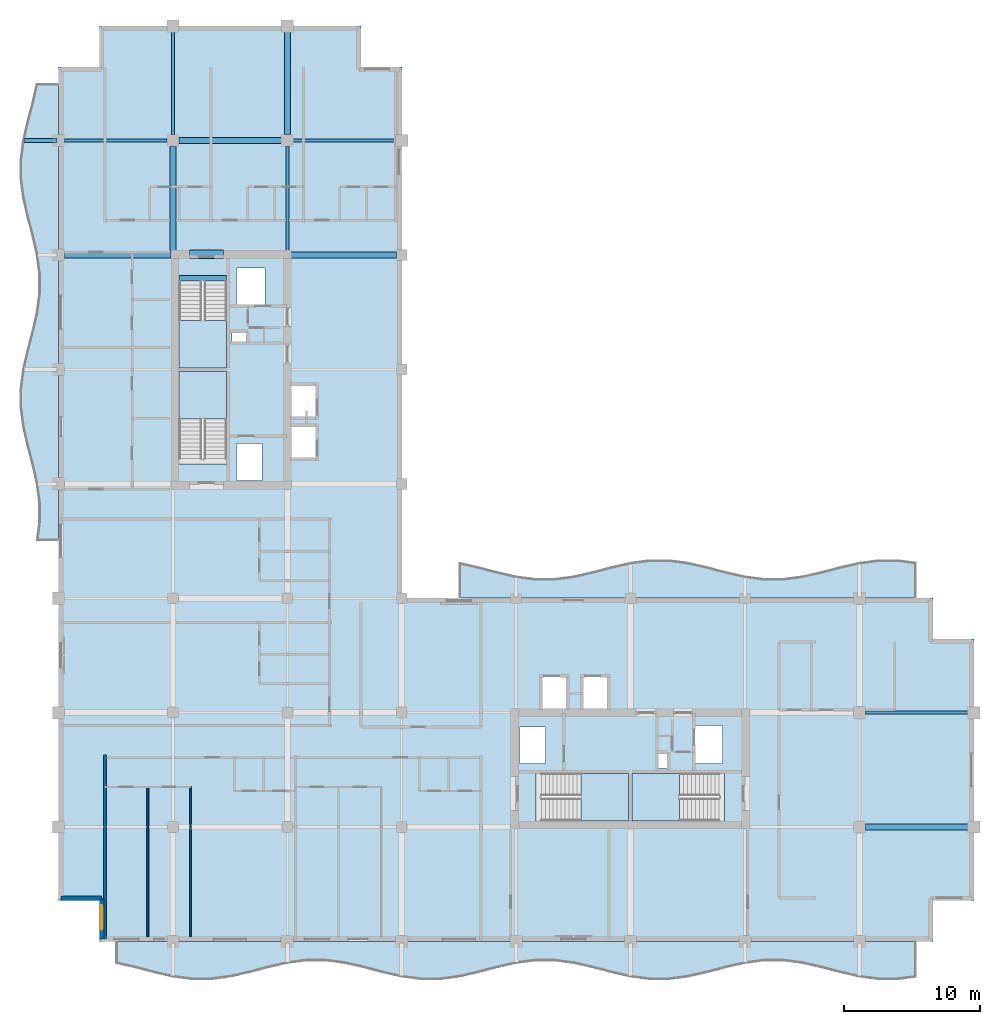
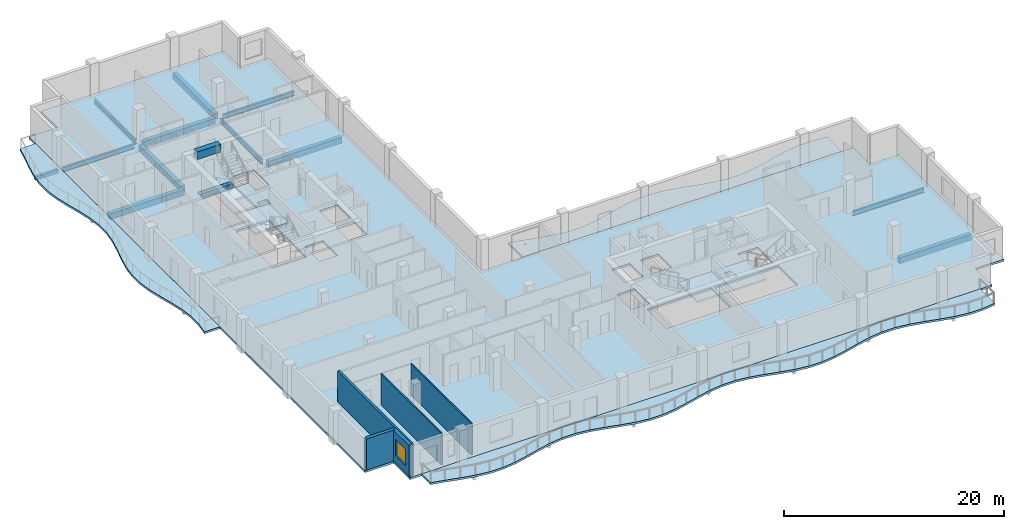
# One storey, part 2 of 12: 14 beams, 8 slabs, 5 walls, 1 window, 1 opening, 4 elements without a shape of their own.
"""IFC4 building model written with IfcOpenShell, lengths in metres."""

from ifc_helpers import new_model, si_unit, direction, frame, frame_2d, origin, origin_2d, place, context, subcontext, project, spatial, polyline, rectangle, i_section, outline, extrude, material, layer, layer_set, material_profile, profile_set, type_object, element, fill, aggregate, save


model = new_model("IFC4")

# Units and contexts
model_context = context("Model", 3, precision=1e-05, world=origin(), true_north=direction((0.0, 1.0)))
body_context = subcontext(model_context, "Body", "Model", "MODEL_VIEW")
ifc_project = project(units=[si_unit("LENGTHUNIT", "METRE"), si_unit("AREAUNIT", "SQUARE_METRE"), si_unit("VOLUMEUNIT", "CUBIC_METRE"), si_unit("PLANEANGLEUNIT", "RADIAN"), si_unit("MASSUNIT", "GRAM", prefix="KILO")], contexts=[model_context])

# Site, building, storey
site_placement = place(None, origin())
site = spatial("IfcSite", under=ifc_project, at=site_placement, CompositionType="ELEMENT")
building_placement = place(site_placement, origin())
building = spatial("IfcBuilding", under=site, at=building_placement, Name="Koriwani Terraces Tower", CompositionType="ELEMENT")
storey_placement = place(building_placement, frame((0.0, 0.0, 263.800048828125)))
storey = spatial("IfcBuildingStorey", under=building, at=storey_placement, Name="L65", CompositionType="ELEMENT", Elevation=263.800048828125)

# Beams
ifc_material_1 = material(Name="Concrete C40/50", Category="concrete")
ifc_material_profile_1 = material_profile(ifc_material_1, rectangle(XDim=0.300048828125, YDim=0.39990234375, at=origin_2d()), Name="Concrete C40/50", Category="LoadBearing")
ifc_profile_set_1 = profile_set([ifc_material_profile_1], Name="Concrete C40/50")
beam_type_1 = type_object("IfcBeamType", Name="BEAM_RC_BALCONY_RIB_300X400", PredefinedType="JOIST", material=ifc_profile_set_1)
beam_1_placement = place(storey_placement, frame((5.907958984375, 67.199951171875, -0.429931640625), z_axis=(1.0, 0.0, 0.0), x_axis=(0.0, 1.0, 0.0)))
element("IfcBeam", 1, at=beam_1_placement, inside=storey, type_object=beam_type_1, Name="L65 Balcony Bracket Rib W-4", PredefinedType="JOIST", context=body_context, shape_type="SweptSolid", body=[
    extrude(rectangle(XDim=0.300048828125, YDim=0.39990234375, at=origin_2d()), origin(), (0.0, 0.0, 1.0), 2.39208984375),
])
ifc_material_2 = material(Name="Concrete C50/60", Category="concrete")
ifc_material_profile_2 = material_profile(ifc_material_2, rectangle(XDim=0.60009765625, YDim=0.85009765625, at=origin_2d()), Name="Concrete C50/60", Category="LoadBearing")
ifc_profile_set_2 = profile_set([ifc_material_profile_2], Name="Concrete C50/60")
beam_type_2 = type_object("IfcBeamType", Name="BEAM_RC_COUPLING_600X850", PredefinedType="LINTEL", material=ifc_profile_set_2)
beam_2_placement = place(storey_placement, frame((18.0, 58.85009765625, 3.044921875), z_axis=(1.0, 0.0, 0.0), x_axis=(0.0, 1.0, 0.0)))
element("IfcBeam", 2, at=beam_2_placement, inside=storey, type_object=beam_type_2, Name="L65 Core Coupling Lintel Beam WN", PredefinedType="LINTEL", context=body_context, shape_type="SweptSolid", body=[
    extrude(rectangle(XDim=0.60009765625, YDim=0.85009765625, at=origin_2d()), origin(), (0.0, 0.0, 1.0), 2.5),
])
ifc_material_profile_3 = material_profile(ifc_material_1, rectangle(XDim=0.39990234375, YDim=0.60009765625, at=origin_2d()), Name="Concrete C40/50", Category="LoadBearing")
ifc_profile_set_3 = profile_set([ifc_material_profile_3], Name="Concrete C40/50")
beam_type_3 = type_object("IfcBeamType", Name="BEAM_RC_GRID_400X600", PredefinedType="BEAM", material=ifc_profile_set_3)
beam_3_placement = place(storey_placement, frame((17.25, 57.094970703125, -0.300048828125), z_axis=(1.0, 0.0, 0.0), x_axis=(0.0, 1.0, 0.0)))
element("IfcBeam", 3, at=beam_3_placement, inside=storey, type_object=beam_type_3, Name="L65 Stairwell Header Trimmer Beam ST-W2", PredefinedType="BEAM", context=body_context, shape_type="SweptSolid", body=[
    extrude(rectangle(XDim=0.39990234375, YDim=0.60009765625, at=origin_2d()), origin(), (0.0, 0.0, 1.0), 3.5),
])
ifc_material_profile_4 = material_profile(ifc_material_2, rectangle(XDim=0.449951171875, YDim=0.64990234375, at=origin_2d()), Name="Concrete C50/60", Category="LoadBearing")
ifc_profile_set_4 = profile_set([ifc_material_profile_4], Name="Concrete C50/60")
beam_type_4 = type_object("IfcBeamType", Name="BEAM_RC_GRID_450X650", PredefinedType="BEAM", material=ifc_profile_set_4)
beam_4_placement = place(storey_placement, frame((67.6298828125, 16.800048828125, -0.554931640625), z_axis=(1.0, 0.0, 0.0), x_axis=(0.0, 1.0, 0.0)))
element("IfcBeam", 4, at=beam_4_placement, inside=storey, type_object=beam_type_4, Name="L65 Grid Beam C (67.2-75.6m)", PredefinedType="BEAM", context=body_context, shape_type="SweptSolid", body=[
    extrude(rectangle(XDim=0.449951171875, YDim=0.64990234375, at=origin_2d()), origin(), (0.0, 0.0, 1.0), 7.5400390625),
])
beam_5_placement = place(storey_placement, frame((8.830078125, 58.800048828125, -0.554931640625), z_axis=(1.0, 0.0, 0.0), x_axis=(0.0, 1.0, 0.0)))
element("IfcBeam", 5, at=beam_5_placement, inside=storey, type_object=beam_type_4, Name="L65 Grid Beam H (8.4-16.8m)", PredefinedType="BEAM", context=body_context, shape_type="SweptSolid", body=[
    extrude(rectangle(XDim=0.449951171875, YDim=0.64990234375, at=origin_2d()), origin(), (0.0, 0.0, 1.0), 7.83984375),
])
beam_6_placement = place(storey_placement, frame((25.47998046875, 58.800048828125, -0.554931640625), z_axis=(1.0, 0.0, 0.0), x_axis=(0.0, 1.0, 0.0)))
element("IfcBeam", 6, at=beam_6_placement, inside=storey, type_object=beam_type_4, Name="L65 Grid Beam H (25.2-33.6m)", PredefinedType="BEAM", context=body_context, shape_type="SweptSolid", body=[
    extrude(rectangle(XDim=0.449951171875, YDim=0.64990234375, at=origin_2d()), origin(), (0.0, 0.0, 1.0), 7.739990234375),
])
beam_7_placement = place(storey_placement, frame((17.22998046875, 67.199951171875, -0.554931640625), z_axis=(1.0, 0.0, 0.0), x_axis=(0.0, 1.0, 0.0)))
element("IfcBeam", 7, at=beam_7_placement, inside=storey, type_object=beam_type_4, Name="L65 Grid Beam I (16.8-25.2m)", PredefinedType="BEAM", context=body_context, shape_type="SweptSolid", body=[
    extrude(rectangle(XDim=0.449951171875, YDim=0.64990234375, at=origin_2d()), origin(), (0.0, 0.0, 1.0), 7.5400390625),
])
beam_8_placement = place(storey_placement, frame((16.800048828125, 59.1298828125, -0.554931640625), z_axis=(0.0, 1.0, 0.0), x_axis=(-1.0, 0.0, 0.0)))
element("IfcBeam", 8, at=beam_8_placement, inside=storey, type_object=beam_type_4, Name="L65 Grid Beam 3 (58.8-67.2m)", PredefinedType="BEAM", context=body_context, shape_type="SweptSolid", body=[
    extrude(rectangle(XDim=0.449951171875, YDim=0.64990234375, at=origin_2d()), origin(), (0.0, 0.0, 1.0), 7.64013671875),
])
beam_9_placement = place(storey_placement, frame((25.199951171875, 67.6298828125, -0.554931640625), z_axis=(0.0, 1.0, 0.0), x_axis=(-1.0, 0.0, 0.0)))
element("IfcBeam", 9, at=beam_9_placement, inside=storey, type_object=beam_type_4, Name="L65 Grid Beam 4 (67.2-75.6m)", PredefinedType="BEAM", context=body_context, shape_type="SweptSolid", body=[
    extrude(rectangle(XDim=0.449951171875, YDim=0.64990234375, at=origin_2d()), origin(), (0.0, 0.0, 1.0), 7.5400390625),
])
ifc_material_3 = material(Name="Steel ASTM A572 Grade 50", Category="steel")
ifc_material_profile_5 = material_profile(ifc_material_3, i_section(OverallWidth=0.2109375, OverallDepth=0.5390625, WebThickness=0.01171875, FlangeThickness=0.018798828125, at=origin_2d()), Name="Steel ASTM A572 Grade 50", Category="LoadBearing")
ifc_profile_set_5 = profile_set([ifc_material_profile_5], Name="Steel ASTM A572 Grade 50")
beam_type_5 = type_object("IfcBeamType", Name="STEEL_BEAM_W530X109", PredefinedType="BEAM", material=ifc_profile_set_5)
for number, where, z_axis, x_axis, name in (
    (10, (67.6298828125, 25.199951171875, -0.49951171875), (1.0, 0.0, 0.0), (0.0, 1.0, 0.0), "L65 Grid Beam D (67.2-75.6m)"),
    (11, (8.830078125, 67.199951171875, -0.49951171875), (1.0, 0.0, 0.0), (0.0, 1.0, 0.0), "L65 Grid Beam I (8.4-16.8m)"),
    (12, (25.6298828125, 67.199951171875, -0.49951171875), (1.0, 0.0, 0.0), (0.0, 1.0, 0.0), "L65 Grid Beam I (25.2-33.6m)"),
    (13, (16.800048828125, 67.6298828125, -0.49951171875), (0.0, 1.0, 0.0), (-1.0, 0.0, 0.0), "L65 Grid Beam 3 (67.2-75.6m)"),
):
    element("IfcBeam", number, at=place(storey_placement, frame(where, z_axis=z_axis, x_axis=x_axis)), inside=storey, type_object=beam_type_5, Name=name, PredefinedType="BEAM", context=body_context, shape_type="SweptSolid", body=[
        extrude(i_section(OverallWidth=0.2109375, OverallDepth=0.5390625, WebThickness=0.01171875, FlangeThickness=0.018798828125, at=origin_2d()), origin(), (0.0, 0.0, 1.0), 7.5400390625),
    ])
beam_10_placement = place(storey_placement, frame((25.199951171875, 59.1298828125, -0.49951171875), z_axis=(0.0, 1.0, 0.0), x_axis=(-1.0, 0.0, 0.0)))
element("IfcBeam", 14, at=beam_10_placement, inside=storey, type_object=beam_type_5, Name="L65 Grid Beam 4 (58.8-67.2m)", PredefinedType="BEAM", context=body_context, shape_type="SweptSolid", body=[
    extrude(i_section(OverallWidth=0.2109375, OverallDepth=0.5390625, WebThickness=0.01171875, FlangeThickness=0.018798828125, at=origin_2d()), origin(), (0.0, 0.0, 1.0), 7.64013671875),
])

# Slabs
ifc_layer_1 = layer(ifc_material_1, 0.219970703125, Name="Concrete C40/50")
ifc_layer_set_1 = layer_set([ifc_layer_1], Name="Concrete C40/50")
slab_type_1 = type_object("IfcSlabType", Name="SLAB_BALCONY_220", PredefinedType="FLOOR", material=ifc_layer_set_1)
slab_1_placement = place(storey_placement, frame((0.0, 0.0, -0.219970703125)))
element("IfcSlab", 15, at=slab_1_placement, inside=storey, type_object=slab_type_1, Name="L65 Quilted Circular-Arc Balcony (S)", PredefinedType="FLOOR", context=body_context, shape_type="SweptSolid", body=[
    extrude(outline(polyline([(12.60009765625, 8.39990234375), (14.0, 8.39990234375), (15.39990234375, 8.39990234375), (16.800048828125, 8.39990234375), (18.199951171875, 8.39990234375), (19.60009765625, 8.39990234375), (21.0, 8.39990234375), (22.39990234375, 8.39990234375), (23.800048828125, 8.39990234375), (25.199951171875, 8.39990234375), (26.60009765625, 8.39990234375), (28.0, 8.39990234375), (29.39990234375, 8.39990234375), (30.800048828125, 8.39990234375), (32.199951171875, 8.39990234375), (33.60009765625, 8.39990234375), (35.0, 8.39990234375), (36.39990234375, 8.39990234375), (37.800048828125, 8.39990234375), (39.199951171875, 8.39990234375), (40.60009765625, 8.39990234375), (42.0, 8.39990234375), (43.39990234375, 8.39990234375), (44.800048828125, 8.39990234375), (46.199951171875, 8.39990234375), (47.60009765625, 8.39990234375), (49.0, 8.39990234375), (50.39990234375, 8.39990234375), (51.800048828125, 8.39990234375), (53.199951171875, 8.39990234375), (54.60009765625, 8.39990234375), (56.0, 8.39990234375), (57.39990234375, 8.39990234375), (58.800048828125, 8.39990234375), (60.199951171875, 8.39990234375), (61.60009765625, 8.39990234375), (63.0, 8.39990234375), (64.39990234375, 8.39990234375), (65.800048828125, 8.39990234375), (67.199951171875, 8.39990234375), (68.60009765625, 8.39990234375), (70.0, 8.39990234375), (71.39990234375, 8.39990234375), (71.39990234375, 5.758056640625), (70.0, 5.57421875), (68.60009765625, 5.57421875), (67.199951171875, 5.758056640625), (65.800048828125, 6.076171875), (64.39990234375, 6.44384765625), (63.0, 6.761962890625), (61.60009765625, 6.94580078125), (60.199951171875, 6.94580078125), (58.800048828125, 6.761962890625), (57.39990234375, 6.44384765625), (56.0, 6.076171875), (54.60009765625, 5.758056640625), (53.199951171875, 5.57421875), (51.800048828125, 5.57421875), (50.39990234375, 5.758056640625), (49.0, 6.076171875), (47.60009765625, 6.44384765625), (46.199951171875, 6.761962890625), (44.800048828125, 6.94580078125), (43.39990234375, 6.94580078125), (42.0, 6.761962890625), (40.60009765625, 6.44384765625), (39.199951171875, 6.076171875), (37.800048828125, 5.758056640625), (36.39990234375, 5.57421875), (35.0, 5.57421875), (33.60009765625, 5.758056640625), (32.199951171875, 6.076171875), (30.800048828125, 6.44384765625), (29.39990234375, 6.761962890625), (28.0, 6.94580078125), (26.60009765625, 6.94580078125), (25.199951171875, 6.761962890625), (23.800048828125, 6.44384765625), (22.39990234375, 6.076171875), (21.0, 5.758056640625), (19.60009765625, 5.57421875), (18.199951171875, 5.57421875), (16.800048828125, 5.758056640625), (15.39990234375, 6.076171875), (14.0, 6.44384765625), (12.60009765625, 6.761962890625), (12.60009765625, 8.39990234375)])), origin(), (0.0, 0.0, 1.0), 0.219970703125),
])
slab_2_placement = place(storey_placement, frame((0.0, 0.0, -0.219970703125)))
element("IfcSlab", 16, at=slab_2_placement, inside=storey, type_object=slab_type_1, Name="L65 Quilted Circular-Arc Balcony (W)", PredefinedType="FLOOR", context=body_context, shape_type="SweptSolid", body=[
    extrude(outline(polyline([(8.39990234375, 37.800048828125), (8.39990234375, 39.199951171875), (8.39990234375, 40.60009765625), (8.39990234375, 42.0), (8.39990234375, 43.39990234375), (8.39990234375, 44.800048828125), (8.39990234375, 46.199951171875), (8.39990234375, 47.60009765625), (8.39990234375, 49.0), (8.39990234375, 50.39990234375), (8.39990234375, 51.800048828125), (8.39990234375, 53.199951171875), (8.39990234375, 54.60009765625), (8.39990234375, 56.0), (8.39990234375, 57.39990234375), (8.39990234375, 58.800048828125), (8.39990234375, 60.199951171875), (8.39990234375, 61.60009765625), (8.39990234375, 63.0), (8.39990234375, 64.39990234375), (8.39990234375, 65.800048828125), (8.39990234375, 67.199951171875), (8.39990234375, 68.60009765625), (8.39990234375, 70.0), (8.39990234375, 71.39990234375), (6.761962890625, 71.39990234375), (6.44384765625, 70.0), (6.076171875, 68.60009765625), (5.758056640625, 67.199951171875), (5.57421875, 65.800048828125), (5.57421875, 64.39990234375), (5.758056640625, 63.0), (6.076171875, 61.60009765625), (6.44384765625, 60.199951171875), (6.761962890625, 58.800048828125), (6.94580078125, 57.39990234375), (6.94580078125, 56.0), (6.761962890625, 54.60009765625), (6.44384765625, 53.199951171875), (6.076171875, 51.800048828125), (5.758056640625, 50.39990234375), (5.57421875, 49.0), (5.57421875, 47.60009765625), (5.758056640625, 46.199951171875), (6.076171875, 44.800048828125), (6.44384765625, 43.39990234375), (6.761962890625, 42.0), (6.94580078125, 40.60009765625), (6.94580078125, 39.199951171875), (6.761962890625, 37.800048828125), (8.39990234375, 37.800048828125)])), origin(), (0.0, 0.0, 1.0), 0.219970703125),
])
slab_3_placement = place(storey_placement, frame((0.0, 0.0, -0.219970703125)))
element("IfcSlab", 17, at=slab_3_placement, inside=storey, type_object=slab_type_1, Name="L65 Quilted Circular-Arc Balcony (NE)", PredefinedType="FLOOR", context=body_context, shape_type="SweptSolid", body=[
    extrude(outline(polyline([(71.39990234375, 33.60009765625), (70.0, 33.60009765625), (68.60009765625, 33.60009765625), (67.199951171875, 33.60009765625), (65.800048828125, 33.60009765625), (64.39990234375, 33.60009765625), (63.0, 33.60009765625), (61.60009765625, 33.60009765625), (60.199951171875, 33.60009765625), (58.800048828125, 33.60009765625), (57.39990234375, 33.60009765625), (56.0, 33.60009765625), (54.60009765625, 33.60009765625), (53.199951171875, 33.60009765625), (51.800048828125, 33.60009765625), (50.39990234375, 33.60009765625), (49.0, 33.60009765625), (47.60009765625, 33.60009765625), (46.199951171875, 33.60009765625), (44.800048828125, 33.60009765625), (43.39990234375, 33.60009765625), (42.0, 33.60009765625), (40.60009765625, 33.60009765625), (39.199951171875, 33.60009765625), (37.800048828125, 33.60009765625), (37.800048828125, 36.241943359375), (39.199951171875, 35.923828125), (40.60009765625, 35.55615234375), (42.0, 35.238037109375), (43.39990234375, 35.05419921875), (44.800048828125, 35.05419921875), (46.199951171875, 35.238037109375), (47.60009765625, 35.55615234375), (49.0, 35.923828125), (50.39990234375, 36.241943359375), (51.800048828125, 36.42578125), (53.199951171875, 36.42578125), (54.60009765625, 36.241943359375), (56.0, 35.923828125), (57.39990234375, 35.55615234375), (58.800048828125, 35.238037109375), (60.199951171875, 35.05419921875), (61.60009765625, 35.05419921875), (63.0, 35.238037109375), (64.39990234375, 35.55615234375), (65.800048828125, 35.923828125), (67.199951171875, 36.241943359375), (68.60009765625, 36.42578125), (70.0, 36.42578125), (71.39990234375, 36.241943359375), (71.39990234375, 33.60009765625)])), origin(), (0.0, 0.0, 1.0), 0.219970703125),
])
ifc_layer_2 = layer(ifc_material_1, 0.22998046875, Name="Concrete C40/50")
ifc_layer_set_2 = layer_set([ifc_layer_2], Name="Concrete C40/50")
slab_type_2 = type_object("IfcSlabType", Name="SLAB_RES_TYP_230", PredefinedType="FLOOR", material=ifc_layer_set_2)
slab_4_placement = place(storey_placement, frame((0.0, 0.0, -0.22998046875)))
element("IfcSlab", 18, at=slab_4_placement, inside=storey, type_object=slab_type_2, Name="L65 Structural Floor Slab", PredefinedType="FLOOR", context=body_context, shape_type="SweptSolid", body=[
    extrude(outline(polyline([(11.39990234375, 8.39990234375), (72.60009765625, 8.39990234375), (72.60009765625, 11.39990234375), (75.60009765625, 11.39990234375), (75.60009765625, 30.60009765625), (72.60009765625, 30.60009765625), (72.60009765625, 33.60009765625), (33.60009765625, 33.60009765625), (33.60009765625, 72.60009765625), (30.60009765625, 72.60009765625), (30.60009765625, 75.60009765625), (11.39990234375, 75.60009765625), (11.39990234375, 72.60009765625), (8.39990234375, 72.60009765625), (8.39990234375, 11.39990234375), (11.39990234375, 11.39990234375), (11.39990234375, 8.39990234375)]), holes=[polyline([(17.25, 43.4599609375), (20.75, 43.4599609375), (20.75, 50.25), (17.25, 50.25), (17.25, 43.4599609375)]), polyline([(17.25, 50.5), (20.75, 50.5), (20.75, 57.2900390625), (17.25, 57.2900390625), (17.25, 50.5)]), polyline([(43.4599609375, 17.25), (50.25, 17.25), (50.25, 20.75), (43.4599609375, 20.75), (43.4599609375, 17.25)]), polyline([(50.5, 17.25), (57.2900390625, 17.25), (57.2900390625, 20.75), (50.5, 20.75), (50.5, 17.25)]), polyline([(25.449951171875, 43.85009765625), (27.35009765625, 43.85009765625), (27.35009765625, 46.25), (25.449951171875, 46.25), (25.449951171875, 43.85009765625)]), polyline([(25.449951171875, 46.85009765625), (27.35009765625, 46.85009765625), (27.35009765625, 49.25), (25.449951171875, 49.25), (25.449951171875, 46.85009765625)]), polyline([(43.85009765625, 25.449951171875), (45.75, 25.449951171875), (45.75, 27.85009765625), (43.85009765625, 27.85009765625), (43.85009765625, 25.449951171875)]), polyline([(46.85009765625, 25.449951171875), (48.75, 25.449951171875), (48.75, 27.85009765625), (46.85009765625, 27.85009765625), (46.85009765625, 25.449951171875)]), polyline([(21.449951171875, 55.050048828125), (23.550048828125, 55.050048828125), (23.550048828125, 57.85009765625), (21.449951171875, 57.85009765625), (21.449951171875, 55.050048828125)]), polyline([(55.050048828125, 21.449951171875), (57.14990234375, 21.449951171875), (57.14990234375, 24.25), (55.050048828125, 24.25), (55.050048828125, 21.449951171875)]), polyline([(21.449951171875, 42.25), (23.35009765625, 42.25), (23.35009765625, 44.949951171875), (21.449951171875, 44.949951171875), (21.449951171875, 42.25)]), polyline([(42.25, 21.449951171875), (44.14990234375, 21.449951171875), (44.14990234375, 24.14990234375), (42.25, 24.14990234375), (42.25, 21.449951171875)]), polyline([(21.14990234375, 52.419921875), (22.219970703125, 52.419921875), (22.219970703125, 53.179931640625), (21.14990234375, 53.179931640625), (21.14990234375, 52.419921875)]), polyline([(52.419921875, 21.14990234375), (53.179931640625, 21.14990234375), (53.179931640625, 22.219970703125), (52.419921875, 22.219970703125), (52.419921875, 21.14990234375)])]), origin(), (0.0, 0.0, 1.0), 0.22998046875),
])

# Stair, slab
stair_type = type_object("IfcStairType", Name="STAIR_CORE_DOGLEG_1650", PredefinedType="TWO_STRAIGHT_RUN_STAIR", material=ifc_material_1)
stair_1_placement = place(storey_placement, origin())
stair_1 = element("IfcStair", 19, at=stair_1_placement, inside=storey, type_object=stair_type, Name="L65 West Core Exit Stair 1", PredefinedType="HALF_TURN_STAIR")
ifc_layer_3 = layer(ifc_material_1, 0.199951171875, Name="Concrete C40/50")
ifc_layer_set_3 = layer_set([ifc_layer_3], Name="Concrete C40/50")
slab_type_3 = type_object("IfcSlabType", Name="SLAB_STAIR_LANDING_200", PredefinedType="LANDING", material=ifc_layer_set_3)
slab_5_placement = place(storey_placement, frame((0.0, 0.0, 1.64990234375)))
slab_5 = element("IfcSlab", 20, at=slab_5_placement, type_object=slab_type_3, Name="ST-W1 landing 1", PredefinedType="LANDING", context=body_context, shape_type="SweptSolid", body=[
    extrude(outline(polyline([(20.75, 46.75), (20.75, 50.25), (17.25, 50.25), (17.25, 46.75), (20.75, 46.75)])), origin(), (0.0, 0.0, 1.0), 0.199951171875),
])
aggregate(stair_1, [slab_5])

stair_2_placement = place(storey_placement, origin())
stair_2 = element("IfcStair", 21, at=stair_2_placement, inside=storey, type_object=stair_type, Name="L65 West Core Exit Stair 2", PredefinedType="HALF_TURN_STAIR")
slab_6_placement = place(storey_placement, frame((0.0, 0.0, 1.64990234375)))
slab_6 = element("IfcSlab", 22, at=slab_6_placement, type_object=slab_type_3, Name="ST-W2 landing 1", PredefinedType="LANDING", context=body_context, shape_type="SweptSolid", body=[
    extrude(outline(polyline([(17.25, 54.0), (17.25, 50.5), (20.75, 50.5), (20.75, 54.0), (17.25, 54.0)])), origin(), (0.0, 0.0, 1.0), 0.199951171875),
])
aggregate(stair_2, [slab_6])

stair_3_placement = place(storey_placement, origin())
stair_3 = element("IfcStair", 23, at=stair_3_placement, inside=storey, type_object=stair_type, Name="L65 East Core Exit Stair 1", PredefinedType="HALF_TURN_STAIR")
slab_7_placement = place(storey_placement, frame((0.0, 0.0, 1.64990234375)))
slab_7 = element("IfcSlab", 24, at=slab_7_placement, type_object=slab_type_3, Name="ST-E1 landing 1", PredefinedType="LANDING", context=body_context, shape_type="SweptSolid", body=[
    extrude(outline(polyline([(46.75, 17.25), (50.25, 17.25), (50.25, 20.75), (46.75, 20.75), (46.75, 17.25)])), origin(), (0.0, 0.0, 1.0), 0.199951171875),
])
aggregate(stair_3, [slab_7])

stair_4_placement = place(storey_placement, origin())
stair_4 = element("IfcStair", 25, at=stair_4_placement, inside=storey, type_object=stair_type, Name="L65 East Core Exit Stair 2", PredefinedType="HALF_TURN_STAIR")
slab_8_placement = place(storey_placement, frame((0.0, 0.0, 1.64990234375)))
slab_8 = element("IfcSlab", 26, at=slab_8_placement, type_object=slab_type_3, Name="ST-E2 landing 1", PredefinedType="LANDING", context=body_context, shape_type="SweptSolid", body=[
    extrude(outline(polyline([(54.0, 20.75), (50.5, 20.75), (50.5, 17.25), (54.0, 17.25), (54.0, 20.75)])), origin(), (0.0, 0.0, 1.0), 0.199951171875),
])
aggregate(stair_4, [slab_8])

# Wall
ifc_material_4 = material(Name="Autoclaved Cellular Concrete Blockwork", Category="masonry")
ifc_layer_4 = layer(ifc_material_4, 0.219970703125, Name="Autoclaved Cellular Concrete Blockwork")
ifc_layer_set_4 = layer_set([ifc_layer_4], Name="Autoclaved Cellular Concrete Blockwork")
wall_type_1 = type_object("IfcWallType", Name="WALL_DEMISING_220", PredefinedType="PARTITIONING", material=ifc_layer_set_4)
wall_1_placement = place(storey_placement, frame((11.800048828125, 8.60009765625, 0.0), z_axis=(0.0, 0.0, 1.0), x_axis=(0.0, 1.0, 0.0)))
element("IfcWall", 27, at=wall_1_placement, inside=storey, type_object=wall_type_1, Name="L65 Interior Wall WRDEM-L65-SW-0", PredefinedType="PARTITIONING", context=body_context, shape_type="SweptSolid", body=[
    extrude(rectangle(XDim=13.47998046875, YDim=0.219970703125, at=frame_2d((6.739990234375, 0.0))), origin(), (0.0, 0.0, 1.0), 3.469970703125),
])

# Wall, opening, window
ifc_layer_5 = layer(ifc_material_2, 0.35009765625, Name="Concrete C50/60")
ifc_layer_set_5 = layer_set([ifc_layer_5], Name="Concrete C50/60")
wall_type_2 = type_object("IfcWallType", Name="WALL_EXT_BRUTALIST_350", PredefinedType="STANDARD", material=ifc_layer_set_5)
wall_2_placement = place(storey_placement, frame((11.574951171875, 8.574951171875, 0.0), z_axis=(0.0, 0.0, 1.0), x_axis=(0.0, 1.0, 0.0)))
wall_2 = element("IfcWall", 28, at=wall_2_placement, inside=storey, type_object=wall_type_2, Name="L65 Fair-Faced Brutalist Exterior Wall (N0)", PredefinedType="STANDARD", context=body_context, shape_type="SweptSolid", body=[
    extrude(rectangle(XDim=3.0, YDim=0.35009765625, at=frame_2d((1.5, 0.0))), origin(), (0.0, 0.0, 1.0), 3.469970703125),
])
opening_placement = place(wall_2_placement, frame((0.677490234375, 0.0, 0.85009765625)))
opening = element("IfcOpeningElement", 29, at=opening_placement, cuts=wall_2, Name="Opening W-04", PredefinedType="OPENING", context=body_context, shape_type="SweptSolid", body=[
    extrude(rectangle(XDim=1.800048828125, YDim=1.800048828125, at=frame_2d((0.89990234375, 0.89990234375))), frame((0.0, 0.18505859375, 0.0), z_axis=(0.0, -1.0, 0.0), x_axis=(1.0, 0.0, 0.0)), (0.0, 0.0, 1.0), 0.3701171875),
])
ifc_material_5 = material(Name="Tempered Laminated Low-E Glass", Category="glass")
window_type = type_object("IfcWindowType", Name="WIN_RES_BED_1800X1800", PartitioningType="DOUBLE_PANEL_VERTICAL", PredefinedType="WINDOW", material=ifc_material_5)
window_placement = place(opening_placement, origin())
window = element("IfcWindow", 30, at=window_placement, inside=storey, type_object=window_type, Name="L65 Exterior Window (N0-R33)", OverallHeight=1.800048828125, OverallWidth=1.800048828125, PartitioningType="SINGLE_PANEL", PredefinedType="WINDOW", context=body_context, shape_type="SweptSolid", body=[
    extrude(rectangle(XDim=1.800048828125, YDim=1.800048828125, at=frame_2d((0.89990234375, 0.89990234375))), frame((0.0, 0.030029296875, 0.0), z_axis=(0.0, -1.0, 0.0), x_axis=(1.0, 0.0, 0.0)), (0.0, 0.0, 1.0), 0.06005859375),
])
fill(opening, window)

# Walls
wall_3_placement = place(storey_placement, frame((11.574951171875, 11.574951171875, 0.0), z_axis=(0.0, 0.0, 1.0), x_axis=(-1.0, 0.0, 0.0)))
element("IfcWall", 31, at=wall_3_placement, inside=storey, type_object=wall_type_2, Name="L65 Fair-Faced Brutalist Exterior Wall (N1)", PredefinedType="STANDARD", context=body_context, shape_type="SweptSolid", body=[
    extrude(rectangle(XDim=3.0, YDim=0.35009765625, at=frame_2d((1.5, 0.0))), origin(), (0.0, 0.0, 1.0), 3.469970703125),
])
ifc_material_6 = material(Name="Fire-Rated Acoustic Gypsum Partition", Category="masonry")
ifc_layer_6 = layer(ifc_material_6, 0.125, Name="Fire-Rated Acoustic Gypsum Partition")
ifc_layer_set_6 = layer_set([ifc_layer_6], Name="Fire-Rated Acoustic Gypsum Partition")
wall_type_3 = type_object("IfcWallType", Name="WALL_INT_125", PredefinedType="PARTITIONING", material=ifc_layer_set_6)
for number, where, z_axis, x_axis, name in (
    (32, (14.949951171875, 8.75, 0.0), (0.0, 0.0, 1.0), (0.0, 1.0, 0.0), "L65 Interior Wall WRB12-L65-SW-0"),
    (33, (18.10009765625, 8.75, 0.0), (0.0, 0.0, 1.0), (0.0, 1.0, 0.0), "L65 Interior Wall WRB2L-L65-SW-0"),
):
    element("IfcWall", number, at=place(storey_placement, frame(where, z_axis=z_axis, x_axis=x_axis)), inside=storey, type_object=wall_type_3, Name=name, PredefinedType="PARTITIONING", context=body_context, shape_type="SweptSolid", body=[
        extrude(rectangle(XDim=11.0, YDim=0.125, at=frame_2d((5.5, 0.0))), origin(), (0.0, 0.0, 1.0), 3.469970703125),
    ])

save(model, "model.ifc")
